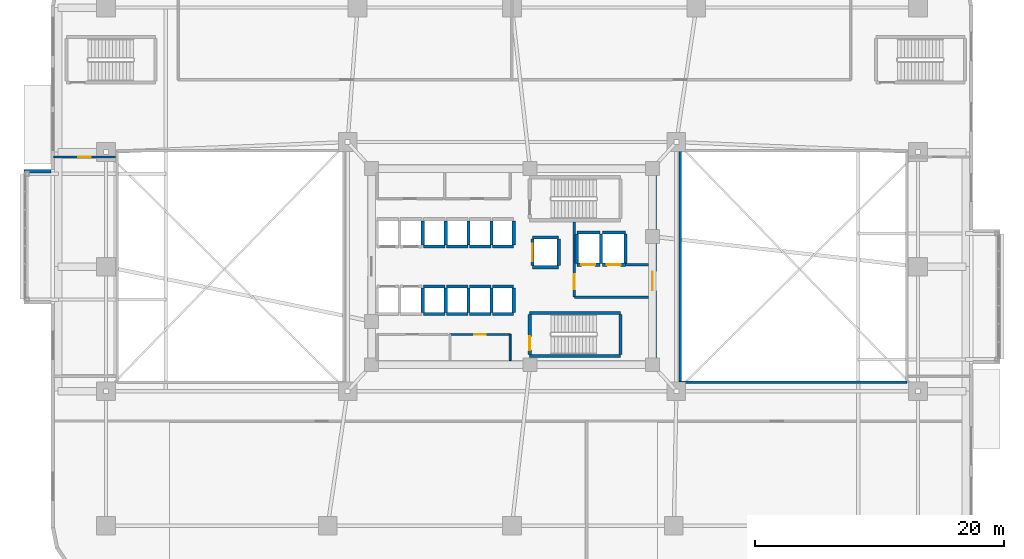
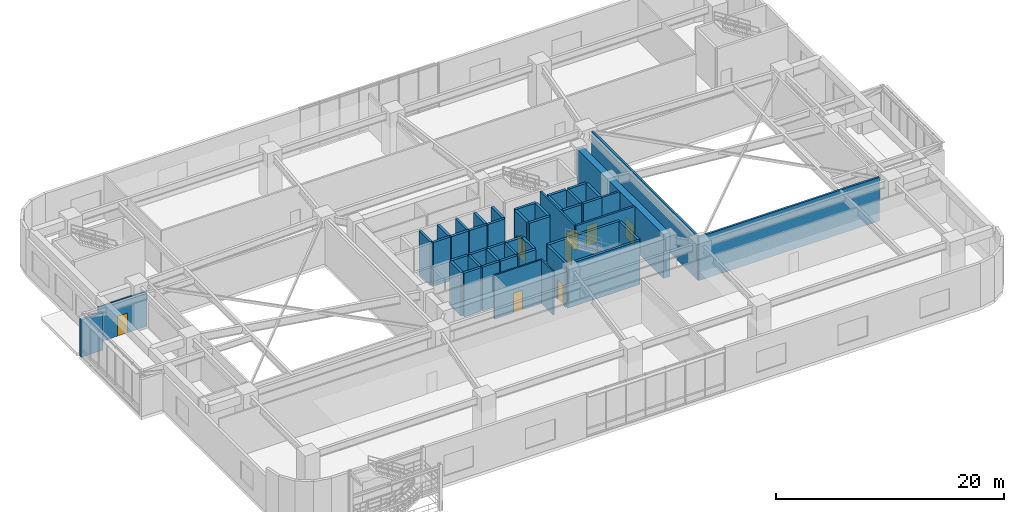
# One storey, part 19 of 26: 47 walls, 8 doors, 8 openings.
"""IFC4 building model written with IfcOpenShell, lengths in metres."""

import ifcopenshell
import ifcopenshell.guid

model = None  # the IFC model being written
_history = None  # IfcOwnerHistory: only IFC2X3 demands one
_inside = {}  # id of a spatial element -> (the spatial element, [elements in it])
_under = {}  # id of a project, library or spatial element -> (it, [spatial elements below it])
_declared = {}  # id of a project -> (the project, [libraries it declares])
_typed = {}  # id of a type object -> (the type object, [elements of that type])
_made_of = {}  # id of a material, layer set ... -> (it, [elements and type objects made of it])


def new_model(schema):
    """Start an empty IFC model of exactly this schema.

    Asked for "IFC4X3", IfcOpenShell would pick the latest addendum, in which some entities
    have other attributes; the version numbers below select the first issue.
    IFC2X3 requires an IfcOwnerHistory on every rooted entity: one is made here for all.
    """
    global model, _history
    if schema == "IFC4X3":
        model = ifcopenshell.file(schema_version=(4, 3, 0, 0))
    else:
        model = ifcopenshell.file(schema=schema)
    _inside.clear()
    _under.clear()
    _declared.clear()
    _typed.clear()
    _made_of.clear()
    _history = None
    if model.schema == "IFC2X3":
        org = make("IfcOrganization", Name="unknown")
        user = make(
            "IfcPersonAndOrganization",
            ThePerson=make("IfcPerson", FamilyName="unknown"),
            TheOrganization=org,
        )
        app = make(
            "IfcApplication",
            ApplicationDeveloper=org,
            Version="unknown",
            ApplicationFullName="unknown",
            ApplicationIdentifier="unknown",
        )
        _history = make(
            "IfcOwnerHistory",
            OwningUser=user,
            OwningApplication=app,
            ChangeAction="ADDED",
            CreationDate=0,
        )
    return model


def make(cls, **values):
    """One entity of the class cls with the attributes given. An attribute that is None is left unset."""
    return model.create_entity(
        cls, **{name: value for name, value in values.items() if value is not None}
    )


def rooted(cls, **values):
    """An entity with a GlobalId (a new one), such as an element, a storey or a relation."""
    return make(cls, GlobalId=ifcopenshell.guid.new(), OwnerHistory=_history, **values)


def si_unit(unit_type, name, prefix=None):
    """IfcSIUnit, for example si_unit("LENGTHUNIT", "METRE", prefix="MILLI")."""
    return make("IfcSIUnit", UnitType=unit_type, Prefix=prefix, Name=name)


def assignment(units):
    """IfcUnitAssignment: the units of a project."""
    return None if units is None else make("IfcUnitAssignment", Units=units)


def point(xyz):
    """IfcCartesianPoint."""
    return None if xyz is None else make("IfcCartesianPoint", Coordinates=xyz)


def direction(xyz):
    """IfcDirection."""
    return None if xyz is None else make("IfcDirection", DirectionRatios=xyz)


def frame(location, z_axis=None, x_axis=None):
    """IfcAxis2Placement3D, a coordinate frame: its origin and axes. An axis left out is left unset."""
    return make(
        "IfcAxis2Placement3D",
        Location=point(location),
        Axis=direction(z_axis),
        RefDirection=direction(x_axis),
    )


def frame_2d(location, x_axis=None):
    """IfcAxis2Placement2D, a coordinate frame in the plane: its origin and x axis."""
    return make(
        "IfcAxis2Placement2D", Location=point(location), RefDirection=direction(x_axis)
    )


def origin():
    """The frame at (0, 0, 0) with its axes left unset."""
    return frame((0.0, 0.0, 0.0))


def place(relative_to, where):
    """IfcLocalPlacement: puts the frame where relative to a parent placement (None: the world)."""
    return make(
        "IfcLocalPlacement", PlacementRelTo=relative_to, RelativePlacement=where
    )


def context(
    kind, dimensions, precision=None, world=None, true_north=None, identifier=None
):
    """IfcGeometricRepresentationContext, for example the 3D "Model" context."""
    return make(
        "IfcGeometricRepresentationContext",
        ContextIdentifier=identifier,
        ContextType=kind,
        CoordinateSpaceDimension=dimensions,
        Precision=precision,
        WorldCoordinateSystem=world,
        TrueNorth=true_north,
    )


def subcontext(parent, identifier, kind, view, scale=None):
    """IfcGeometricRepresentationSubContext, for example "Body" below "Model"."""
    return make(
        "IfcGeometricRepresentationSubContext",
        ContextIdentifier=identifier,
        ContextType=kind,
        ParentContext=parent,
        TargetScale=scale,
        TargetView=view,
    )


def project(units=None, contexts=None):
    """IfcProject with its units and contexts."""
    return rooted(
        "IfcProject",
        Name="project",
        RepresentationContexts=contexts,
        UnitsInContext=assignment(units),
    )


def spatial(cls, under=None, at=None, **own):
    """A site, building, storey or space (cls), placed at a placement, below another one or the project."""
    s = rooted(cls, ObjectPlacement=at, **own)
    if under is not None:
        _under.setdefault(under.id(), (under, []))[1].append(s)
    return s


def profile(cls, at=None, kind="AREA", **sizes):
    """A parametric profile (cls). Its sizes go by their IFC names, for example OverallWidth=200.0."""
    return make(cls, ProfileType=kind, Position=at, **sizes)


def rectangle(**sizes):
    """IfcRectangleProfileDef."""
    return profile("IfcRectangleProfileDef", **sizes)


def extrude(swept, where, along, depth):
    """IfcExtrudedAreaSolid: the profile swept, set in the frame where, extruded along a direction by depth."""
    return make(
        "IfcExtrudedAreaSolid",
        SweptArea=swept,
        Position=where,
        ExtrudedDirection=direction(along),
        Depth=depth,
    )


def shape(context_of_items, identifier, shape_type, items):
    """IfcShapeRepresentation: the items that make up one representation, for example the "Body"."""
    return make(
        "IfcShapeRepresentation",
        ContextOfItems=context_of_items,
        RepresentationIdentifier=identifier,
        RepresentationType=shape_type,
        Items=items,
    )


def material(Name=None, Category=None):
    """IfcMaterial."""
    return make("IfcMaterial", Name=Name, Category=Category)


def layer(
    of_material, thickness, ventilated=None, Name=None, Category=None, Priority=None
):
    """IfcMaterialLayer: one layer of a wall or slab, of a material (None: an air gap)."""
    return make(
        "IfcMaterialLayer",
        Material=of_material,
        LayerThickness=thickness,
        IsVentilated=ventilated,
        Name=Name,
        Category=Category,
        Priority=Priority,
    )


def layer_set(layers, Name=None):
    """IfcMaterialLayerSet."""
    return make("IfcMaterialLayerSet", MaterialLayers=layers, LayerSetName=Name)


def made_of(thing, what):
    """Note that an element or type object is made of a material, layer set ...; save() writes the relation."""
    if what is not None:
        _made_of.setdefault(what.id(), (what, []))[1].append(thing)
    return thing


def type_object(cls, material=None, **own):
    """A type object (cls), such as IfcWallType, which elements share."""
    return made_of(rooted(cls, **own), material)


def element(
    cls,
    number,
    at=None,
    inside=None,
    cuts=None,
    type_object=None,
    material=None,
    context=None,
    identifier="Body",
    shape_type=None,
    held_by="IfcProductDefinitionShape",
    body=None,
    shapes=None,
    **own,
):
    """One element of the class cls, such as IfcWall. Its Tag is "e" and its number.

    at: its placement. inside: the storey or other place that contains it. cuts: it is an
    opening in that element (IfcRelVoidsElement). A single representation is given by context,
    identifier, shape_type and body (its items); several are given by shapes. held_by: the class
    of the entity that holds the representations. save() writes the other relations.
    """
    e = rooted(cls, Tag="e%d" % number, ObjectPlacement=at, **own)
    if body is not None:
        shapes = [shape(context, identifier, shape_type, body)]
    if shapes is not None:
        e.Representation = make(held_by, Representations=shapes)
    if inside is not None:
        _inside.setdefault(inside.id(), (inside, []))[1].append(e)
    if cuts is not None:
        rooted(
            "IfcRelVoidsElement", RelatingBuildingElement=cuts, RelatedOpeningElement=e
        )
    if type_object is not None:
        _typed.setdefault(type_object.id(), (type_object, []))[1].append(e)
    return made_of(e, material)


def fill(opening, filler):
    """IfcRelFillsElement: the door or window that sits in an opening."""
    return rooted(
        "IfcRelFillsElement",
        RelatingOpeningElement=opening,
        RelatedBuildingElement=filler,
    )


def aggregate(whole, parts):
    """IfcRelAggregates: a whole, such as a stair, and the parts it consists of."""
    return rooted("IfcRelAggregates", RelatingObject=whole, RelatedObjects=parts)


def save(model, path):
    """Write the relations noted so far, then the file.

    IfcRelAggregates (storeys below a building ...), IfcRelContainedInSpatialStructure (elements
    in a storey), IfcRelDefinesByType, IfcRelAssociatesMaterial and IfcRelDeclares: one each for
    every whole, place, type object, material and project.
    """
    for whole, parts in _under.values():
        aggregate(whole, parts)
    for where, things in _inside.values():
        rooted(
            "IfcRelContainedInSpatialStructure",
            RelatedElements=things,
            RelatingStructure=where,
        )
    for kind, things in _typed.values():
        rooted("IfcRelDefinesByType", RelatedObjects=things, RelatingType=kind)
    for what, things in _made_of.values():
        rooted("IfcRelAssociatesMaterial", RelatedObjects=things, RelatingMaterial=what)
    for by, libraries in _declared.values():
        rooted("IfcRelDeclares", RelatingContext=by, RelatedDefinitions=libraries)
    model.write(path)


model = new_model("IFC4")

# Units and contexts
model_context = context("Model", 3, precision=1e-05, world=origin(), true_north=direction((0.0, 1.0)))
body_context = subcontext(model_context, "Body", "Model", "MODEL_VIEW")
ifc_project = project(units=[si_unit("LENGTHUNIT", "METRE"), si_unit("AREAUNIT", "SQUARE_METRE"), si_unit("VOLUMEUNIT", "CUBIC_METRE"), si_unit("PLANEANGLEUNIT", "RADIAN"), si_unit("MASSUNIT", "GRAM", prefix="KILO")], contexts=[model_context])

# Site, building, storey
site_placement = place(None, origin())
site = spatial("IfcSite", under=ifc_project, at=site_placement, CompositionType="ELEMENT")
building_placement = place(site_placement, origin())
building = spatial("IfcBuilding", under=site, at=building_placement, Name="Zulverin Broadcast Headquarters", CompositionType="ELEMENT")
storey_placement = place(building_placement, frame((0.0, 0.0, 15.0)))
storey = spatial("IfcBuildingStorey", under=building, at=storey_placement, Name="L03", CompositionType="ELEMENT", Elevation=15.0)

# Walls
ifc_material_1 = material(Name="Acoustic drywall steel stud", Category="steel")
ifc_layer_1 = layer(ifc_material_1, 0.199951171875, Name="Acoustic drywall steel stud", Category="steel")
ifc_layer_set_1 = layer_set([ifc_layer_1], Name="Acoustic drywall steel stud")
wall_type_1 = type_object("IfcWallType", Name="WL-ACOU-200", PredefinedType="PARTITIONING", material=ifc_layer_set_1)
wall_1_placement = place(storey_placement, frame((50.5, 15.89990234375, 0.0), z_axis=(0.0, 0.0, 1.0), x_axis=(0.0, 1.0, 0.0)))
element("IfcWall", 1, at=wall_1_placement, inside=storey, type_object=wall_type_1, Name="L03 EAST Studio Void W Wall", PredefinedType="PARTITIONING", context=body_context, shape_type="SweptSolid", body=[
    extrude(rectangle(XDim=18.60009765625, YDim=0.199951171875, at=frame_2d((9.300048828125, 0.0))), origin(), (0.0, 0.0, 1.0), 4.679931640625),
])
wall_2_placement = place(storey_placement, frame((50.5, 15.89990234375, 0.0), z_axis=(0.0, 0.0, 1.0), x_axis=(1.0, 0.0, 0.0)))
element("IfcWall", 2, at=wall_2_placement, inside=storey, type_object=wall_type_1, Name="L03 EAST Studio Void S Wall", PredefinedType="PARTITIONING", context=body_context, shape_type="SweptSolid", body=[
    extrude(rectangle(XDim=18.199951171875, YDim=0.199951171875, at=frame_2d((9.10009765625, 0.0))), origin(), (0.0, 0.0, 1.0), 4.679931640625),
])

# Wall, opening, door
ifc_material_2 = material(Name="Concrete C60/75", Category="concrete")
ifc_layer_2 = layer(ifc_material_2, 0.64990234375, Name="Concrete C60/75", Category="concrete")
ifc_layer_set_2 = layer_set([ifc_layer_2], Name="Concrete C60/75")
wall_type_2 = type_object("IfcWallType", Name="WL-CORE-650", PredefinedType="SHEAR", material=ifc_layer_set_2)
wall_3_placement = place(storey_placement, frame((48.27490234375, 17.64990234375, 0.0), z_axis=(0.0, 0.0, 1.0), x_axis=(0.0, 1.0, 0.0)))
wall_3 = element("IfcWall", 3, at=wall_3_placement, inside=storey, type_object=wall_type_2, Name="L03 Core East Shear Wall", PredefinedType="SHEAR", context=body_context, shape_type="SweptSolid", body=[
    extrude(rectangle(XDim=15.10009765625, YDim=0.64990234375, at=frame_2d((7.550048828125, 0.0))), origin(), (0.0, 0.0, 1.0), 4.679931640625),
])
opening_1_placement = place(wall_3_placement, frame((5.64990234375, 0.0, 0.0)))
opening_1 = element("IfcOpeningElement", 4, at=opening_1_placement, cuts=wall_3, Name="Opening D-L03-CE1", PredefinedType="OPENING", context=body_context, shape_type="SweptSolid", body=[
    extrude(rectangle(XDim=1.5, YDim=2.14990234375, at=frame_2d((0.75, 1.074951171875))), frame((0.0, 0.3349609375, 0.0), z_axis=(0.0, -1.0, 0.0), x_axis=(1.0, 0.0, 0.0)), (0.0, 0.0, 1.0), 0.669921875),
])
ifc_material_3 = material(Name="Fire-rated glazed steel frame", Category="steel")
door_type_1 = type_object("IfcDoorType", Name="DR-COR-1500", OperationType="DOUBLE_DOOR_SINGLE_SWING", PredefinedType="DOOR", material=ifc_material_3)
door_1_placement = place(opening_1_placement, origin())
door_1 = element("IfcDoor", 5, at=door_1_placement, inside=storey, type_object=door_type_1, Name="L03 Firefighting Lobby East Corridor Door", OperationType="DOUBLE_DOOR_SINGLE_SWING", OverallHeight=2.14990234375, OverallWidth=1.5, PredefinedType="DOOR", context=body_context, shape_type="SweptSolid", body=[
    extrude(rectangle(XDim=1.5, YDim=2.14990234375, at=frame_2d((0.75, 1.074951171875))), frame((0.0, 0.02490234375, 0.0), z_axis=(0.0, -1.0, 0.0), x_axis=(1.0, 0.0, 0.0)), (0.0, 0.0, 1.0), 0.050048828125),
])
fill(opening_1, door_1)

# Wall
ifc_material_4 = material(Name="Insulated pale-metal clad concrete spandrel C40/50", Category="concrete")
ifc_layer_3 = layer(ifc_material_4, 0.280029296875, Name="Insulated pale-metal clad concrete spandrel C40/50", Category="concrete")
ifc_layer_set_3 = layer_set([ifc_layer_3], Name="Insulated pale-metal clad concrete spandrel C40/50")
wall_type_3 = type_object("IfcWallType", Name="WL-EXT-280", PredefinedType="STANDARD", material=ifc_layer_set_3)
wall_4_placement = place(storey_placement, frame((-2.199951171875, 32.860107421875, 0.0), z_axis=(0.0, 0.0, 1.0), x_axis=(1.0, 0.0, 0.0)))
element("IfcWall", 6, at=wall_4_placement, inside=storey, type_object=wall_type_3, Name="L03 Shifted Studio Box Cheek Wall SBOX_POD_UPPER_W1-N", PredefinedType="STANDARD", context=body_context, shape_type="SweptSolid", body=[
    extrude(rectangle(XDim=2.199951171875, YDim=0.280029296875, at=frame_2d((1.10009765625, 0.0))), origin(), (0.0, 0.0, 1.0), 3.987060546875),
])

# Wall, opening, door
ifc_material_5 = material(Name="Concrete C40/50", Category="concrete")
ifc_layer_4 = layer(ifc_material_5, 0.199951171875, Name="Concrete C40/50", Category="concrete")
ifc_layer_set_4 = layer_set([ifc_layer_4], Name="Concrete C40/50")
wall_type_4 = type_object("IfcWallType", Name="WL-FFL-200", PredefinedType="SOLIDWALL", material=ifc_layer_set_4)
wall_5_placement = place(storey_placement, frame((42.0, 22.75, 0.0), z_axis=(0.0, 0.0, 1.0), x_axis=(0.0, 1.0, 0.0)))
wall_5 = element("IfcWall", 7, at=wall_5_placement, inside=storey, type_object=wall_type_4, Name="L03 Firefighting Lift Lobby West Wall", PredefinedType="SOLIDWALL", context=body_context, shape_type="SweptSolid", body=[
    extrude(rectangle(XDim=6.050048828125, YDim=0.199951171875, at=frame_2d((3.02490234375, 0.0))), origin(), (0.0, 0.0, 1.0), 4.679931640625),
])
opening_2_placement = place(wall_5_placement, frame((0.64990234375, 0.0, 0.0)))
opening_2 = element("IfcOpeningElement", 8, at=opening_2_placement, cuts=wall_5, Name="Opening D-L03-FFLW", PredefinedType="OPENING", context=body_context, shape_type="SweptSolid", body=[
    extrude(rectangle(XDim=1.199951171875, YDim=2.14990234375, at=frame_2d((0.60009765625, 1.074951171875))), frame((0.0, 0.10986328125, 0.0), z_axis=(0.0, -1.0, 0.0), x_axis=(1.0, 0.0, 0.0)), (0.0, 0.0, 1.0), 0.219970703125),
])
ifc_material_6 = material(Name="Fire-rated steel leaf and frame", Category="steel")
door_type_2 = type_object("IfcDoorType", Name="DR-FFL-1200", OperationType="SINGLE_SWING_RIGHT", PredefinedType="DOOR", material=ifc_material_6)
door_2_placement = place(opening_2_placement, origin())
door_2 = element("IfcDoor", 9, at=door_2_placement, inside=storey, type_object=door_type_2, Name="L03 Firefighting Lift Lobby Door", OperationType="SINGLE_SWING_RIGHT", OverallHeight=2.14990234375, OverallWidth=1.199951171875, PredefinedType="DOOR", context=body_context, shape_type="SweptSolid", body=[
    extrude(rectangle(XDim=1.199951171875, YDim=2.14990234375, at=frame_2d((0.60009765625, 1.074951171875))), frame((0.0, 0.02490234375, 0.0), z_axis=(0.0, -1.0, 0.0), x_axis=(1.0, 0.0, 0.0)), (0.0, 0.0, 1.0), 0.050048828125),
])
fill(opening_2, door_2)

# Walls
wall_6_placement = place(storey_placement, frame((42.0, 22.75, 0.0), z_axis=(0.0, 0.0, 1.0), x_axis=(1.0, 0.0, 0.0)))
element("IfcWall", 10, at=wall_6_placement, inside=storey, type_object=wall_type_4, Name="L03 Firefighting Lift Lobby South Wall", PredefinedType="SOLIDWALL", context=body_context, shape_type="SweptSolid", body=[
    extrude(rectangle(XDim=5.949951171875, YDim=0.199951171875, at=frame_2d((2.97509765625, 0.0))), origin(), (0.0, 0.0, 1.0), 4.679931640625),
])
wall_7_placement = place(storey_placement, frame((46.10009765625, 25.35009765625, 0.0), z_axis=(0.0, 0.0, 1.0), x_axis=(1.0, 0.0, 0.0)))
element("IfcWall", 11, at=wall_7_placement, inside=storey, type_object=wall_type_4, Name="L03 Firefighting Lift Lobby North Wall", PredefinedType="SOLIDWALL", context=body_context, shape_type="SweptSolid", body=[
    extrude(rectangle(XDim=1.849853515625, YDim=0.199951171875, at=frame_2d((0.9248046875, 0.0))), origin(), (0.0, 0.0, 1.0), 4.679931640625),
])

# Wall, opening, door
ifc_material_7 = material(Name="Fire-rated gypsum stud partition", Category="gypsum")
ifc_layer_5 = layer(ifc_material_7, 0.14990234375, Name="Fire-rated gypsum stud partition", Category="gypsum")
ifc_layer_set_5 = layer_set([ifc_layer_5], Name="Fire-rated gypsum stud partition")
wall_type_5 = type_object("IfcWallType", Name="WL-PART-150", PredefinedType="PARTITIONING", material=ifc_layer_set_5)
wall_8_placement = place(storey_placement, frame((32.02001953125, 19.75, 0.0), z_axis=(0.0, 0.0, 1.0), x_axis=(1.0, 0.0, 0.0)))
wall_8 = element("IfcWall", 12, at=wall_8_placement, inside=storey, type_object=wall_type_5, Name="L03 Core Cleaner Store & Telecoms Riser Front Wall", PredefinedType="PARTITIONING", context=body_context, shape_type="SweptSolid", body=[
    extrude(rectangle(XDim=4.830078125, YDim=0.14990234375, at=frame_2d((2.4150390625, 0.0))), origin(), (0.0, 0.0, 1.0), 4.679931640625),
])
opening_3_placement = place(wall_8_placement, frame((1.965087890625, 0.0, 0.0)))
opening_3 = element("IfcOpeningElement", 13, at=opening_3_placement, cuts=wall_8, Name="Opening D-L03-SC2", PredefinedType="OPENING", context=body_context, shape_type="SweptSolid", body=[
    extrude(rectangle(XDim=0.89990234375, YDim=2.10009765625, at=frame_2d((0.449951171875, 1.050048828125))), frame((0.0, 0.0849609375, 0.0), z_axis=(0.0, -1.0, 0.0), x_axis=(1.0, 0.0, 0.0)), (0.0, 0.0, 1.0), 0.169921875),
])
ifc_material_8 = material(Name="Powder-coated steel access leaf", Category="steel")
door_type_3 = type_object("IfcDoorType", Name="DR-RISER-900", OperationType="SINGLE_SWING_LEFT", PredefinedType="DOOR", material=ifc_material_8)
door_3_placement = place(opening_3_placement, origin())
door_3 = element("IfcDoor", 14, at=door_3_placement, inside=storey, type_object=door_type_3, Name="L03 Cleaner Store & Telecoms Riser Door", OperationType="SINGLE_SWING_RIGHT", OverallHeight=2.10009765625, OverallWidth=0.89990234375, PredefinedType="DOOR", context=body_context, shape_type="SweptSolid", body=[
    extrude(rectangle(XDim=0.89990234375, YDim=2.10009765625, at=frame_2d((0.449951171875, 1.050048828125))), frame((0.0, 0.02490234375, 0.0), z_axis=(0.0, -1.0, 0.0), x_axis=(1.0, 0.0, 0.0)), (0.0, 0.0, 1.0), 0.050048828125),
])
fill(opening_3, door_3)

# Wall
wall_9_placement = place(storey_placement, frame((36.85009765625, 17.64990234375, 0.0), z_axis=(0.0, 0.0, 1.0), x_axis=(0.0, 1.0, 0.0)))
element("IfcWall", 15, at=wall_9_placement, inside=storey, type_object=wall_type_5, Name="L03 Core Cleaner Store & Telecoms Riser East Wall", PredefinedType="PARTITIONING", context=body_context, shape_type="SweptSolid", body=[
    extrude(rectangle(XDim=2.10009765625, YDim=0.14990234375, at=frame_2d((1.050048828125, 0.0))), origin(), (0.0, 0.0, 1.0), 4.679931640625),
])

# Wall, opening, door
wall_10_placement = place(storey_placement, frame((0.205078125, 34.0, 0.0), z_axis=(0.0, 0.0, 1.0), x_axis=(1.0, 0.0, 0.0)))
wall_10 = element("IfcWall", 16, at=wall_10_placement, inside=storey, type_object=wall_type_5, Name="L03 Gallery Partition Wall CG-10", PredefinedType="PARTITIONING", context=body_context, shape_type="SweptSolid", body=[
    extrude(rectangle(XDim=4.94482421875, YDim=0.14990234375, at=frame_2d((2.472412109375, 0.0))), origin(), (0.0, 0.0, 1.0), 3.780029296875),
])
opening_4_placement = place(wall_10_placement, frame((1.972412109375, 0.0, 0.0)))
opening_4 = element("IfcOpeningElement", 17, at=opening_4_placement, cuts=wall_10, Name="Opening D-L03-GALW", PredefinedType="OPENING", context=body_context, shape_type="SweptSolid", body=[
    extrude(rectangle(XDim=1.0, YDim=2.1201171875, at=frame_2d((0.5, 1.06005859375))), frame((0.0, 0.0849609375, 0.0), z_axis=(0.0, -1.0, 0.0), x_axis=(1.0, 0.0, 0.0)), (0.0, 0.0, 1.0), 0.169921875),
])
ifc_material_9 = material(Name="Hardwood veneer acoustic leaf", Category="wood")
door_type_4 = type_object("IfcDoorType", Name="DR-OFF-1000", OperationType="SINGLE_SWING_LEFT", PredefinedType="DOOR", material=ifc_material_9)
door_4_placement = place(opening_4_placement, origin())
door_4 = element("IfcDoor", 18, at=door_4_placement, inside=storey, type_object=door_type_4, Name="L03 West Studio Control Gallery Door", OperationType="SINGLE_SWING_LEFT", OverallHeight=2.1201171875, OverallWidth=1.0, PredefinedType="DOOR", context=body_context, shape_type="SweptSolid", body=[
    extrude(rectangle(XDim=1.0, YDim=2.1201171875, at=frame_2d((0.5, 1.06005859375))), frame((0.0, 0.02490234375, 0.0), z_axis=(0.0, -1.0, 0.0), x_axis=(1.0, 0.0, 0.0)), (0.0, 0.0, 1.0), 0.050048828125),
])
fill(opening_4, door_4)

# Walls
ifc_material_10 = material(Name="Concrete C50/60", Category="concrete")
ifc_layer_6 = layer(ifc_material_10, 0.25, Name="Concrete C50/60", Category="concrete")
ifc_layer_set_6 = layer_set([ifc_layer_6], Name="Concrete C50/60")
wall_type_6 = type_object("IfcWallType", Name="WL-SHAFT-250", PredefinedType="SHEAR", material=ifc_layer_set_6)
for number, where, z_axis, x_axis, name in (
    (19, (38.425048828125, 18.02490234375, 0.0), (0.0, 0.0, 1.0), (1.0, 0.0, 0.0), "L03 ST-2 Enclosure Wall S"),
    (20, (38.425048828125, 21.47509765625, 0.0), (0.0, 0.0, 1.0), (1.0, 0.0, 0.0), "L03 ST-2 Enclosure Wall N"),
):
    element("IfcWall", number, at=place(storey_placement, frame(where, z_axis=z_axis, x_axis=x_axis)), inside=storey, type_object=wall_type_6, Name=name, PredefinedType="SHEAR", context=body_context, shape_type="SweptSolid", body=[
        extrude(rectangle(XDim=7.300048828125, YDim=0.25, at=frame_2d((3.64990234375, 0.0))), origin(), (0.0, 0.0, 1.0), 4.679931640625),
    ])

# Wall, opening, door
wall_11_placement = place(storey_placement, frame((38.425048828125, 18.14990234375, 0.0), z_axis=(0.0, 0.0, 1.0), x_axis=(0.0, 1.0, 0.0)))
wall_11 = element("IfcWall", 21, at=wall_11_placement, inside=storey, type_object=wall_type_6, Name="L03 ST-2 Enclosure Wall W", PredefinedType="SHEAR", context=body_context, shape_type="SweptSolid", body=[
    extrude(rectangle(XDim=3.2001953125, YDim=0.25, at=frame_2d((1.60009765625, 0.0))), origin(), (0.0, 0.0, 1.0), 4.679931640625),
])
opening_5_placement = place(wall_11_placement, frame((0.35009765625, 0.0, 0.0)))
opening_5 = element("IfcOpeningElement", 22, at=opening_5_placement, cuts=wall_11, Name="Opening D-L03-ST-2", PredefinedType="OPENING", context=body_context, shape_type="SweptSolid", body=[
    extrude(rectangle(XDim=1.10009765625, YDim=2.14990234375, at=frame_2d((0.550048828125, 1.074951171875))), frame((0.0, 0.135009765625, 0.0), z_axis=(0.0, -1.0, 0.0), x_axis=(1.0, 0.0, 0.0)), (0.0, 0.0, 1.0), 0.27001953125),
])
door_type_5 = type_object("IfcDoorType", Name="DR-STAIR-1100", OperationType="SINGLE_SWING_LEFT", PredefinedType="DOOR", material=ifc_material_6)
door_5_placement = place(opening_5_placement, origin())
door_5 = element("IfcDoor", 23, at=door_5_placement, inside=storey, type_object=door_type_5, Name="L03 Exit Stair ST-2 Fire Door", OperationType="SINGLE_SWING_RIGHT", OverallHeight=2.14990234375, OverallWidth=1.10009765625, PredefinedType="DOOR", context=body_context, shape_type="SweptSolid", body=[
    extrude(rectangle(XDim=1.10009765625, YDim=2.14990234375, at=frame_2d((0.550048828125, 1.074951171875))), frame((0.0, 0.02490234375, 0.0), z_axis=(0.0, -1.0, 0.0), x_axis=(1.0, 0.0, 0.0)), (0.0, 0.0, 1.0), 0.050048828125),
])
fill(opening_5, door_5)

# Walls
wall_12_placement = place(storey_placement, frame((45.72509765625, 18.14990234375, 0.0), z_axis=(0.0, 0.0, 1.0), x_axis=(0.0, 1.0, 0.0)))
element("IfcWall", 24, at=wall_12_placement, inside=storey, type_object=wall_type_6, Name="L03 ST-2 Enclosure Wall E", PredefinedType="SHEAR", context=body_context, shape_type="SweptSolid", body=[
    extrude(rectangle(XDim=3.2001953125, YDim=0.25, at=frame_2d((1.60009765625, 0.0))), origin(), (0.0, 0.0, 1.0), 4.679931640625),
])
for number, where, z_axis, x_axis, name in (
    (25, (29.8349609375, 26.919921875, 0.0), (0.0, 0.0, 1.0), (0.0, 1.0, 0.0), "L03 Lift PL-L2 Shaft Wall E"),
    (26, (29.8349609375, 21.52001953125, 0.0), (0.0, 0.0, 1.0), (0.0, 1.0, 0.0), "L03 Lift PL-L4 Shaft Wall E"),
):
    element("IfcWall", number, at=place(storey_placement, frame(where, z_axis=z_axis, x_axis=x_axis)), inside=storey, type_object=wall_type_6, Name=name, PredefinedType="SHEAR", context=body_context, shape_type="SweptSolid", body=[
        extrude(rectangle(XDim=1.9599609375, YDim=0.25, at=frame_2d((0.97998046875, 0.0))), origin(), (0.0, 0.0, 1.0), 4.679931640625),
    ])
for number, where, z_axis, x_axis, name in (
    (27, (29.89990234375, 21.39990234375, 0.0), (0.0, 0.0, 1.0), (1.0, 0.0, 0.0), "L03 Lift PL-M1 Shaft Wall S"),
    (28, (29.89990234375, 23.60009765625, 0.0), (0.0, 0.0, 1.0), (1.0, 0.0, 0.0), "L03 Lift PL-M1 Shaft Wall N"),
):
    element("IfcWall", number, at=place(storey_placement, frame(where, z_axis=z_axis, x_axis=x_axis)), inside=storey, type_object=wall_type_6, Name=name, PredefinedType="SHEAR", context=body_context, shape_type="SweptSolid", body=[
        extrude(rectangle(XDim=1.72021484375, YDim=0.25, at=frame_2d((0.860107421875, 0.0))), origin(), (0.0, 0.0, 1.0), 4.679931640625),
    ])
wall_13_placement = place(storey_placement, frame((31.679931640625, 21.52001953125, 0.0), z_axis=(0.0, 0.0, 1.0), x_axis=(0.0, 1.0, 0.0)))
element("IfcWall", 29, at=wall_13_placement, inside=storey, type_object=wall_type_6, Name="L03 Lift PL-M1 Shaft Wall E", PredefinedType="SHEAR", context=body_context, shape_type="SweptSolid", body=[
    extrude(rectangle(XDim=1.9599609375, YDim=0.25, at=frame_2d((0.97998046875, 0.0))), origin(), (0.0, 0.0, 1.0), 4.679931640625),
])
for number, where, z_axis, x_axis, name in (
    (30, (31.739990234375, 21.39990234375, 0.0), (0.0, 0.0, 1.0), (1.0, 0.0, 0.0), "L03 Lift PL-M2 Shaft Wall S"),
    (31, (31.739990234375, 23.60009765625, 0.0), (0.0, 0.0, 1.0), (1.0, 0.0, 0.0), "L03 Lift PL-M2 Shaft Wall N"),
):
    element("IfcWall", number, at=place(storey_placement, frame(where, z_axis=z_axis, x_axis=x_axis)), inside=storey, type_object=wall_type_6, Name=name, PredefinedType="SHEAR", context=body_context, shape_type="SweptSolid", body=[
        extrude(rectangle(XDim=1.719970703125, YDim=0.25, at=frame_2d((0.85986328125, 0.0))), origin(), (0.0, 0.0, 1.0), 4.679931640625),
    ])
wall_14_placement = place(storey_placement, frame((33.52001953125, 21.52001953125, 0.0), z_axis=(0.0, 0.0, 1.0), x_axis=(0.0, 1.0, 0.0)))
element("IfcWall", 32, at=wall_14_placement, inside=storey, type_object=wall_type_6, Name="L03 Lift PL-M2 Shaft Wall E", PredefinedType="SHEAR", context=body_context, shape_type="SweptSolid", body=[
    extrude(rectangle(XDim=1.9599609375, YDim=0.25, at=frame_2d((0.97998046875, 0.0))), origin(), (0.0, 0.0, 1.0), 4.679931640625),
])
for number, where, z_axis, x_axis, name in (
    (33, (33.580078125, 21.39990234375, 0.0), (0.0, 0.0, 1.0), (1.0, 0.0, 0.0), "L03 Lift PL-M3 Shaft Wall S"),
    (34, (33.580078125, 23.60009765625, 0.0), (0.0, 0.0, 1.0), (1.0, 0.0, 0.0), "L03 Lift PL-M3 Shaft Wall N"),
):
    element("IfcWall", number, at=place(storey_placement, frame(where, z_axis=z_axis, x_axis=x_axis)), inside=storey, type_object=wall_type_6, Name=name, PredefinedType="SHEAR", context=body_context, shape_type="SweptSolid", body=[
        extrude(rectangle(XDim=1.719970703125, YDim=0.25, at=frame_2d((0.85986328125, 0.0))), origin(), (0.0, 0.0, 1.0), 4.679931640625),
    ])
wall_15_placement = place(storey_placement, frame((35.360107421875, 21.52001953125, 0.0), z_axis=(0.0, 0.0, 1.0), x_axis=(0.0, 1.0, 0.0)))
element("IfcWall", 35, at=wall_15_placement, inside=storey, type_object=wall_type_6, Name="L03 Lift PL-M3 Shaft Wall E", PredefinedType="SHEAR", context=body_context, shape_type="SweptSolid", body=[
    extrude(rectangle(XDim=1.9599609375, YDim=0.25, at=frame_2d((0.97998046875, 0.0))), origin(), (0.0, 0.0, 1.0), 4.679931640625),
])
for number, where, z_axis, x_axis, name in (
    (36, (35.419921875, 21.39990234375, 0.0), (0.0, 0.0, 1.0), (1.0, 0.0, 0.0), "L03 Lift PL-M4 Shaft Wall S"),
    (37, (35.419921875, 23.60009765625, 0.0), (0.0, 0.0, 1.0), (1.0, 0.0, 0.0), "L03 Lift PL-M4 Shaft Wall N"),
):
    element("IfcWall", number, at=place(storey_placement, frame(where, z_axis=z_axis, x_axis=x_axis)), inside=storey, type_object=wall_type_6, Name=name, PredefinedType="SHEAR", context=body_context, shape_type="SweptSolid", body=[
        extrude(rectangle(XDim=1.719970703125, YDim=0.25, at=frame_2d((0.85986328125, 0.0))), origin(), (0.0, 0.0, 1.0), 4.679931640625),
    ])
wall_16_placement = place(storey_placement, frame((37.139892578125, 21.52001953125, 0.0), z_axis=(0.0, 0.0, 1.0), x_axis=(0.0, 1.0, 0.0)))
element("IfcWall", 38, at=wall_16_placement, inside=storey, type_object=wall_type_6, Name="L03 Lift PL-M4 Shaft Wall E", PredefinedType="SHEAR", context=body_context, shape_type="SweptSolid", body=[
    extrude(rectangle(XDim=1.9599609375, YDim=0.25, at=frame_2d((0.97998046875, 0.0))), origin(), (0.0, 0.0, 1.0), 4.679931640625),
])
wall_17_placement = place(storey_placement, frame((29.89990234375, 26.800048828125, 0.0), z_axis=(0.0, 0.0, 1.0), x_axis=(1.0, 0.0, 0.0)))
element("IfcWall", 39, at=wall_17_placement, inside=storey, type_object=wall_type_6, Name="L03 Lift PL-H1 Shaft Wall S", PredefinedType="SHEAR", context=body_context, shape_type="SweptSolid", body=[
    extrude(rectangle(XDim=1.72021484375, YDim=0.25, at=frame_2d((0.860107421875, 0.0))), origin(), (0.0, 0.0, 1.0), 4.679931640625),
])
wall_18_placement = place(storey_placement, frame((31.679931640625, 26.919921875, 0.0), z_axis=(0.0, 0.0, 1.0), x_axis=(0.0, 1.0, 0.0)))
element("IfcWall", 40, at=wall_18_placement, inside=storey, type_object=wall_type_6, Name="L03 Lift PL-H1 Shaft Wall E", PredefinedType="SHEAR", context=body_context, shape_type="SweptSolid", body=[
    extrude(rectangle(XDim=1.9599609375, YDim=0.25, at=frame_2d((0.97998046875, 0.0))), origin(), (0.0, 0.0, 1.0), 4.679931640625),
])
wall_19_placement = place(storey_placement, frame((31.739990234375, 26.800048828125, 0.0), z_axis=(0.0, 0.0, 1.0), x_axis=(1.0, 0.0, 0.0)))
element("IfcWall", 41, at=wall_19_placement, inside=storey, type_object=wall_type_6, Name="L03 Lift PL-H2 Shaft Wall S", PredefinedType="SHEAR", context=body_context, shape_type="SweptSolid", body=[
    extrude(rectangle(XDim=1.719970703125, YDim=0.25, at=frame_2d((0.85986328125, 0.0))), origin(), (0.0, 0.0, 1.0), 4.679931640625),
])
wall_20_placement = place(storey_placement, frame((33.52001953125, 26.919921875, 0.0), z_axis=(0.0, 0.0, 1.0), x_axis=(0.0, 1.0, 0.0)))
element("IfcWall", 42, at=wall_20_placement, inside=storey, type_object=wall_type_6, Name="L03 Lift PL-H2 Shaft Wall E", PredefinedType="SHEAR", context=body_context, shape_type="SweptSolid", body=[
    extrude(rectangle(XDim=1.9599609375, YDim=0.25, at=frame_2d((0.97998046875, 0.0))), origin(), (0.0, 0.0, 1.0), 4.679931640625),
])
wall_21_placement = place(storey_placement, frame((33.580078125, 26.800048828125, 0.0), z_axis=(0.0, 0.0, 1.0), x_axis=(1.0, 0.0, 0.0)))
element("IfcWall", 43, at=wall_21_placement, inside=storey, type_object=wall_type_6, Name="L03 Lift PL-H3 Shaft Wall S", PredefinedType="SHEAR", context=body_context, shape_type="SweptSolid", body=[
    extrude(rectangle(XDim=1.719970703125, YDim=0.25, at=frame_2d((0.85986328125, 0.0))), origin(), (0.0, 0.0, 1.0), 4.679931640625),
])
wall_22_placement = place(storey_placement, frame((35.360107421875, 26.919921875, 0.0), z_axis=(0.0, 0.0, 1.0), x_axis=(0.0, 1.0, 0.0)))
element("IfcWall", 44, at=wall_22_placement, inside=storey, type_object=wall_type_6, Name="L03 Lift PL-H3 Shaft Wall E", PredefinedType="SHEAR", context=body_context, shape_type="SweptSolid", body=[
    extrude(rectangle(XDim=1.9599609375, YDim=0.25, at=frame_2d((0.97998046875, 0.0))), origin(), (0.0, 0.0, 1.0), 4.679931640625),
])
wall_23_placement = place(storey_placement, frame((35.419921875, 26.800048828125, 0.0), z_axis=(0.0, 0.0, 1.0), x_axis=(1.0, 0.0, 0.0)))
element("IfcWall", 45, at=wall_23_placement, inside=storey, type_object=wall_type_6, Name="L03 Lift PL-H4 Shaft Wall S", PredefinedType="SHEAR", context=body_context, shape_type="SweptSolid", body=[
    extrude(rectangle(XDim=1.719970703125, YDim=0.25, at=frame_2d((0.85986328125, 0.0))), origin(), (0.0, 0.0, 1.0), 4.679931640625),
])
wall_24_placement = place(storey_placement, frame((37.139892578125, 26.919921875, 0.0), z_axis=(0.0, 0.0, 1.0), x_axis=(0.0, 1.0, 0.0)))
element("IfcWall", 46, at=wall_24_placement, inside=storey, type_object=wall_type_6, Name="L03 Lift PL-H4 Shaft Wall E", PredefinedType="SHEAR", context=body_context, shape_type="SweptSolid", body=[
    extrude(rectangle(XDim=1.9599609375, YDim=0.25, at=frame_2d((0.97998046875, 0.0))), origin(), (0.0, 0.0, 1.0), 4.679931640625),
])

# Wall, opening, door
wall_25_placement = place(storey_placement, frame((42.199951171875, 25.35009765625, 0.0), z_axis=(0.0, 0.0, 1.0), x_axis=(1.0, 0.0, 0.0)))
wall_25 = element("IfcWall", 47, at=wall_25_placement, inside=storey, type_object=wall_type_6, Name="L03 Lift FFL-1 Shaft Wall S", PredefinedType="SHEAR", context=body_context, shape_type="SweptSolid", body=[
    extrude(rectangle(XDim=1.85009765625, YDim=0.25, at=frame_2d((0.925048828125, 0.0))), origin(), (0.0, 0.0, 1.0), 4.679931640625),
])
opening_6_placement = place(wall_25_placement, frame((0.375, 0.0, 0.0)))
opening_6 = element("IfcOpeningElement", 48, at=opening_6_placement, cuts=wall_25, Name="Opening LD-FFL-1-L03", PredefinedType="OPENING", context=body_context, shape_type="SweptSolid", body=[
    extrude(rectangle(XDim=1.10009765625, YDim=2.14990234375, at=frame_2d((0.550048828125, 1.074951171875))), frame((0.0, 0.135009765625, 0.0), z_axis=(0.0, -1.0, 0.0), x_axis=(1.0, 0.0, 0.0)), (0.0, 0.0, 1.0), 0.27001953125),
])
ifc_material_11 = material(Name="Fire-rated stainless landing door", Category="steel")
door_type_6 = type_object("IfcDoorType", Name="LD-FFL-1100", OperationType="DOUBLE_DOOR_SLIDING", PredefinedType="DOOR", material=ifc_material_11)
door_6_placement = place(opening_6_placement, origin())
door_6 = element("IfcDoor", 49, at=door_6_placement, inside=storey, type_object=door_type_6, Name="L03 Lift FFL-1 Sliding Landing Door", OperationType="DOUBLE_DOOR_SLIDING", OverallHeight=2.14990234375, OverallWidth=1.10009765625, PredefinedType="DOOR", context=body_context, shape_type="SweptSolid", body=[
    extrude(rectangle(XDim=1.10009765625, YDim=2.14990234375, at=frame_2d((0.550048828125, 1.074951171875))), frame((0.0, 0.02490234375, 0.0), z_axis=(0.0, -1.0, 0.0), x_axis=(1.0, 0.0, 0.0)), (0.0, 0.0, 1.0), 0.050048828125),
])
fill(opening_6, door_6)

# Walls
wall_26_placement = place(storey_placement, frame((42.199951171875, 27.949951171875, 0.0), z_axis=(0.0, 0.0, 1.0), x_axis=(1.0, 0.0, 0.0)))
element("IfcWall", 50, at=wall_26_placement, inside=storey, type_object=wall_type_6, Name="L03 Lift FFL-1 Shaft Wall N", PredefinedType="SHEAR", context=body_context, shape_type="SweptSolid", body=[
    extrude(rectangle(XDim=1.85009765625, YDim=0.25, at=frame_2d((0.925048828125, 0.0))), origin(), (0.0, 0.0, 1.0), 4.679931640625),
])
for number, where, z_axis, x_axis, name in (
    (51, (42.199951171875, 25.469970703125, 0.0), (0.0, 0.0, 1.0), (0.0, 1.0, 0.0), "L03 Lift FFL-1 Shaft Wall W"),
    (52, (44.14990234375, 25.469970703125, 0.0), (0.0, 0.0, 1.0), (0.0, 1.0, 0.0), "L03 Lift FFL-1 Shaft Wall E"),
):
    element("IfcWall", number, at=place(storey_placement, frame(where, z_axis=z_axis, x_axis=x_axis)), inside=storey, type_object=wall_type_6, Name=name, PredefinedType="SHEAR", context=body_context, shape_type="SweptSolid", body=[
        extrude(rectangle(XDim=2.360107421875, YDim=0.25, at=frame_2d((1.18017578125, 0.0))), origin(), (0.0, 0.0, 1.0), 4.679931640625),
    ])

# Wall, opening, door
wall_27_placement = place(storey_placement, frame((44.25, 25.35009765625, 0.0), z_axis=(0.0, 0.0, 1.0), x_axis=(1.0, 0.0, 0.0)))
wall_27 = element("IfcWall", 53, at=wall_27_placement, inside=storey, type_object=wall_type_6, Name="L03 Lift FFL-2 Shaft Wall S", PredefinedType="SHEAR", context=body_context, shape_type="SweptSolid", body=[
    extrude(rectangle(XDim=1.85009765625, YDim=0.25, at=frame_2d((0.925048828125, 0.0))), origin(), (0.0, 0.0, 1.0), 4.679931640625),
])
opening_7_placement = place(wall_27_placement, frame((0.375, 0.0, 0.0)))
opening_7 = element("IfcOpeningElement", 54, at=opening_7_placement, cuts=wall_27, Name="Opening LD-FFL-2-L03", PredefinedType="OPENING", context=body_context, shape_type="SweptSolid", body=[
    extrude(rectangle(XDim=1.10009765625, YDim=2.14990234375, at=frame_2d((0.550048828125, 1.074951171875))), frame((0.0, 0.135009765625, 0.0), z_axis=(0.0, -1.0, 0.0), x_axis=(1.0, 0.0, 0.0)), (0.0, 0.0, 1.0), 0.27001953125),
])
door_7_placement = place(opening_7_placement, origin())
door_7 = element("IfcDoor", 55, at=door_7_placement, inside=storey, type_object=door_type_6, Name="L03 Lift FFL-2 Sliding Landing Door", OperationType="DOUBLE_DOOR_SLIDING", OverallHeight=2.14990234375, OverallWidth=1.10009765625, PredefinedType="DOOR", context=body_context, shape_type="SweptSolid", body=[
    extrude(rectangle(XDim=1.10009765625, YDim=2.14990234375, at=frame_2d((0.550048828125, 1.074951171875))), frame((0.0, 0.02490234375, 0.0), z_axis=(0.0, -1.0, 0.0), x_axis=(1.0, 0.0, 0.0)), (0.0, 0.0, 1.0), 0.050048828125),
])
fill(opening_7, door_7)

# Walls
wall_28_placement = place(storey_placement, frame((44.25, 27.949951171875, 0.0), z_axis=(0.0, 0.0, 1.0), x_axis=(1.0, 0.0, 0.0)))
element("IfcWall", 56, at=wall_28_placement, inside=storey, type_object=wall_type_6, Name="L03 Lift FFL-2 Shaft Wall N", PredefinedType="SHEAR", context=body_context, shape_type="SweptSolid", body=[
    extrude(rectangle(XDim=1.85009765625, YDim=0.25, at=frame_2d((0.925048828125, 0.0))), origin(), (0.0, 0.0, 1.0), 4.679931640625),
])
wall_29_placement = place(storey_placement, frame((46.10009765625, 25.469970703125, 0.0), z_axis=(0.0, 0.0, 1.0), x_axis=(0.0, 1.0, 0.0)))
element("IfcWall", 57, at=wall_29_placement, inside=storey, type_object=wall_type_6, Name="L03 Lift FFL-2 Shaft Wall E", PredefinedType="SHEAR", context=body_context, shape_type="SweptSolid", body=[
    extrude(rectangle(XDim=2.360107421875, YDim=0.25, at=frame_2d((1.18017578125, 0.0))), origin(), (0.0, 0.0, 1.0), 4.679931640625),
])
for number, where, z_axis, x_axis, name in (
    (58, (38.64990234375, 25.14990234375, 0.0), (0.0, 0.0, 1.0), (1.0, 0.0, 0.0), "L03 Lift SVL-1 Shaft Wall S"),
    (59, (38.64990234375, 27.550048828125, 0.0), (0.0, 0.0, 1.0), (1.0, 0.0, 0.0), "L03 Lift SVL-1 Shaft Wall N"),
):
    element("IfcWall", number, at=place(storey_placement, frame(where, z_axis=z_axis, x_axis=x_axis)), inside=storey, type_object=wall_type_6, Name=name, PredefinedType="SHEAR", context=body_context, shape_type="SweptSolid", body=[
        extrude(rectangle(XDim=2.10009765625, YDim=0.25, at=frame_2d((1.050048828125, 0.0))), origin(), (0.0, 0.0, 1.0), 4.679931640625),
    ])

# Wall, opening, door
wall_30_placement = place(storey_placement, frame((38.64990234375, 25.27001953125, 0.0), z_axis=(0.0, 0.0, 1.0), x_axis=(0.0, 1.0, 0.0)))
wall_30 = element("IfcWall", 60, at=wall_30_placement, inside=storey, type_object=wall_type_6, Name="L03 Lift SVL-1 Shaft Wall W", PredefinedType="SHEAR", context=body_context, shape_type="SweptSolid", body=[
    extrude(rectangle(XDim=2.159912109375, YDim=0.25, at=frame_2d((1.080078125, 0.0))), origin(), (0.0, 0.0, 1.0), 4.679931640625),
])
opening_8_placement = place(wall_30_placement, frame((0.3798828125, 0.0, 0.0)))
opening_8 = element("IfcOpeningElement", 61, at=opening_8_placement, cuts=wall_30, Name="Opening LD-SVL-1-L03", PredefinedType="OPENING", context=body_context, shape_type="SweptSolid", body=[
    extrude(rectangle(XDim=1.39990234375, YDim=2.199951171875, at=frame_2d((0.699951171875, 1.10009765625))), frame((0.0, 0.135009765625, 0.0), z_axis=(0.0, -1.0, 0.0), x_axis=(1.0, 0.0, 0.0)), (0.0, 0.0, 1.0), 0.27001953125),
])
ifc_material_12 = material(Name="Heavy-duty stainless landing door", Category="steel")
door_type_7 = type_object("IfcDoorType", Name="LD-GOODS-1400", OperationType="DOUBLE_DOOR_SLIDING", PredefinedType="DOOR", material=ifc_material_12)
door_8_placement = place(opening_8_placement, origin())
door_8 = element("IfcDoor", 62, at=door_8_placement, inside=storey, type_object=door_type_7, Name="L03 Lift SVL-1 Sliding Landing Door", OperationType="DOUBLE_DOOR_SLIDING", OverallHeight=2.199951171875, OverallWidth=1.39990234375, PredefinedType="DOOR", context=body_context, shape_type="SweptSolid", body=[
    extrude(rectangle(XDim=1.39990234375, YDim=2.199951171875, at=frame_2d((0.699951171875, 1.10009765625))), frame((0.0, 0.02490234375, 0.0), z_axis=(0.0, -1.0, 0.0), x_axis=(1.0, 0.0, 0.0)), (0.0, 0.0, 1.0), 0.050048828125),
])
fill(opening_8, door_8)

# Wall
wall_31_placement = place(storey_placement, frame((40.75, 25.27001953125, 0.0), z_axis=(0.0, 0.0, 1.0), x_axis=(0.0, 1.0, 0.0)))
element("IfcWall", 63, at=wall_31_placement, inside=storey, type_object=wall_type_6, Name="L03 Lift SVL-1 Shaft Wall E", PredefinedType="SHEAR", context=body_context, shape_type="SweptSolid", body=[
    extrude(rectangle(XDim=2.159912109375, YDim=0.25, at=frame_2d((1.080078125, 0.0))), origin(), (0.0, 0.0, 1.0), 4.679931640625),
])

save(model, "model.ifc")
